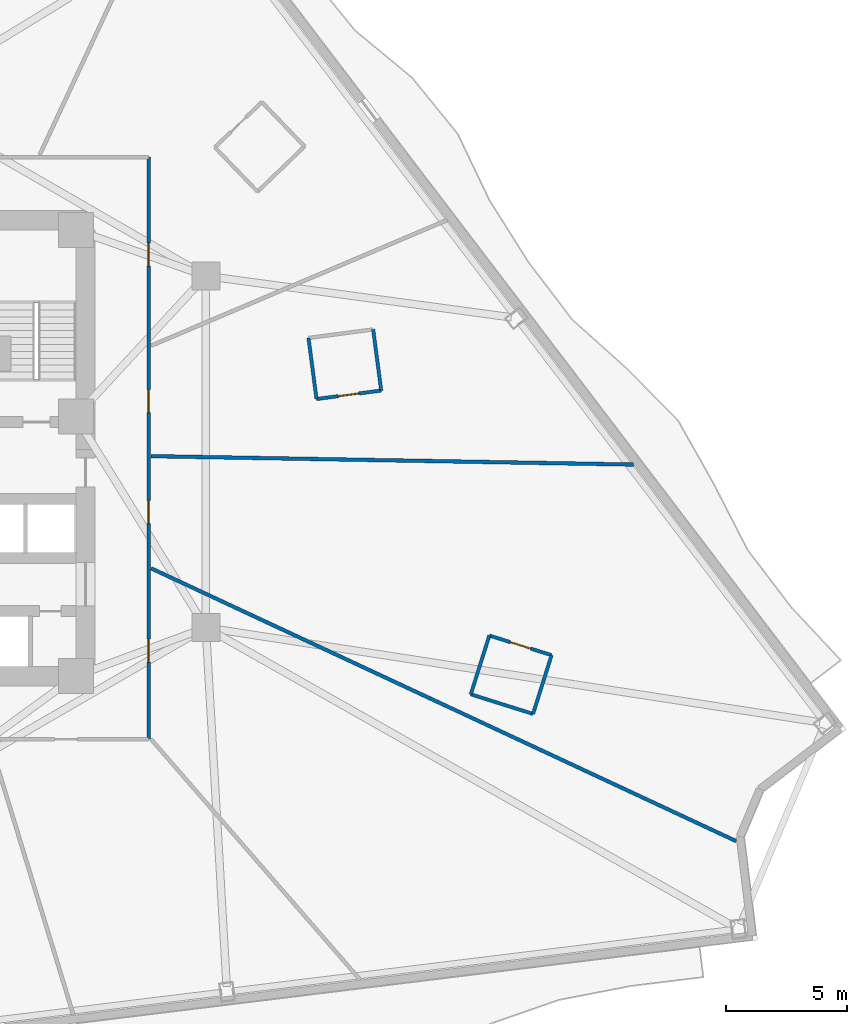
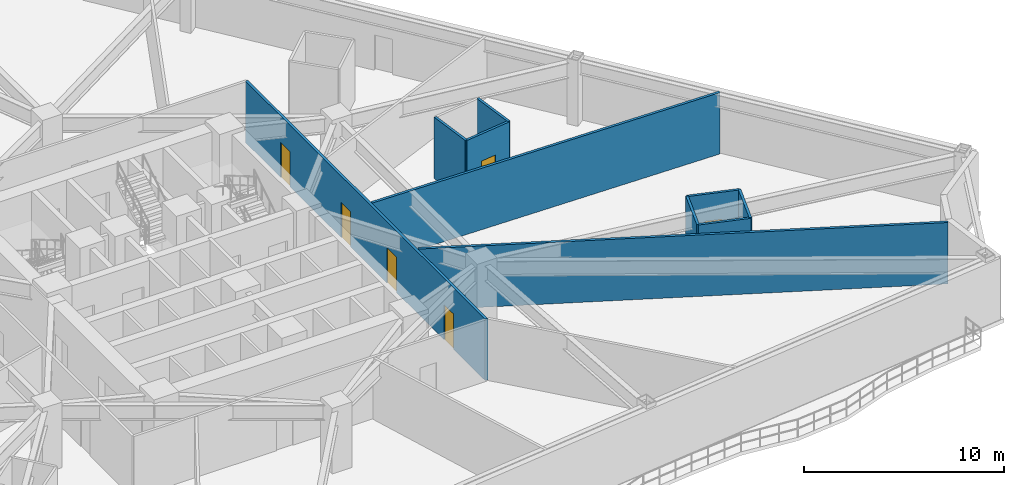
# One storey, part 5 of 13: 10 walls, 6 doors, 6 openings.
"""IFC4 building model written with IfcOpenShell, lengths in metres."""

from ifc_helpers import new_model, si_unit, direction, frame, frame_2d, origin, place, context, subcontext, project, spatial, rectangle, extrude, material, layer, layer_set, type_object, element, fill, save


model = new_model("IFC4")

# Units and contexts
model_context = context("Model", 3, precision=1e-05, world=origin(), true_north=direction((0.0, 1.0)))
body_context = subcontext(model_context, "Body", "Model", "MODEL_VIEW")
ifc_project = project(units=[si_unit("LENGTHUNIT", "METRE"), si_unit("AREAUNIT", "SQUARE_METRE"), si_unit("VOLUMEUNIT", "CUBIC_METRE"), si_unit("PLANEANGLEUNIT", "RADIAN"), si_unit("MASSUNIT", "GRAM", prefix="KILO")], contexts=[model_context])

# Site, building, storey
site_placement = place(None, origin())
site = spatial("IfcSite", under=ifc_project, at=site_placement, CompositionType="ELEMENT")
building_placement = place(site_placement, origin())
building = spatial("IfcBuilding", under=site, at=building_placement, Name="Apsidion Concourse Tower", CompositionType="ELEMENT")
storey_placement = place(building_placement, frame((0.0, 0.0, 67.0)))
storey = spatial("IfcBuildingStorey", under=building, at=storey_placement, Name="L14", CompositionType="ELEMENT", Elevation=67.0)

# Walls
ifc_material_1 = material(Name="Gypsum plasterboard partition")
ifc_layer_1 = layer(ifc_material_1, 0.139892578125)
ifc_layer_set_1 = layer_set([ifc_layer_1], Name="Gypsum plasterboard partition")
wall_type_1 = type_object("IfcWallType", Name="WL-INT-PAR-140", PredefinedType="PARTITIONING", material=ifc_layer_set_1)
wall_1_placement = place(storey_placement, frame((23.487548828125, -10.0, 0.0), z_axis=(0.0, 0.0, 1.0), x_axis=(0.953721106849, -0.300692617719, 0.0)))
element("IfcWall", 1, at=wall_1_placement, inside=storey, type_object=wall_type_1, Name="L14 Interior Partition WL-L14-POD-ENS04-S1", PredefinedType="PARTITIONING", context=body_context, shape_type="SweptSolid", body=[
    extrude(rectangle(XDim=2.68994140625, YDim=0.139892578125, at=frame_2d((1.344970703125, 0.0))), origin(), (0.0, 0.0, 1.0), 3.75),
])
wall_2_placement = place(storey_placement, frame((26.052978515625, -10.808837890625, 0.0), z_axis=(0.0, 0.0, 1.0), x_axis=(0.300731161572, 0.953708953748, 0.0)))
element("IfcWall", 2, at=wall_2_placement, inside=storey, type_object=wall_type_1, Name="L14 Interior Partition WL-L14-POD-ENS04-S2", PredefinedType="PARTITIONING", context=body_context, shape_type="SweptSolid", body=[
    extrude(rectangle(XDim=2.540283203125, YDim=0.139892578125, at=frame_2d((1.27001953125, 0.0))), origin(), (0.0, 0.0, 1.0), 3.75),
])

# Wall, opening, door
wall_3_placement = place(storey_placement, frame((26.81689453125, -8.38623046875, 0.0), z_axis=(0.0, 0.0, 1.0), x_axis=(-0.953721106849, 0.300692617719, 0.0)))
wall_3 = element("IfcWall", 3, at=wall_3_placement, inside=storey, type_object=wall_type_1, Name="L14 Interior Partition WL-L14-POD-ENS04-S3", PredefinedType="PARTITIONING", context=body_context, shape_type="SweptSolid", body=[
    extrude(rectangle(XDim=2.68994140625, YDim=0.139892578125, at=frame_2d((1.344970703125, 0.0))), origin(), (0.0, 0.0, 1.0), 3.75),
])
opening_1_placement = place(wall_3_placement, frame((0.905029296875, 0.0, 0.0)))
opening_1 = element("IfcOpeningElement", 4, at=opening_1_placement, cuts=wall_3, Name="Opening D-03L", PredefinedType="OPENING", context=body_context, shape_type="SweptSolid", body=[
    extrude(rectangle(XDim=0.8798828125, YDim=2.10009765625, at=frame_2d((0.43994140625, 1.050048828125))), frame((0.0, 0.080078125, 0.0), z_axis=(0.0, -1.0, 0.0), x_axis=(1.0, 0.0, 0.0)), (0.0, 0.0, 1.0), 0.159912109375),
])
ifc_material_2 = material(Name="Anodised aluminium EN AW-6063 T6", Category="aluminium")
door_type_1 = type_object("IfcDoorType", Name="DR-INT-D03L", OperationType="SINGLE_SWING_LEFT", PredefinedType="DOOR", material=ifc_material_2)
door_1_placement = place(opening_1_placement, origin())
door_1 = element("IfcDoor", 5, at=door_1_placement, inside=storey, type_object=door_type_1, Name="L14 Guest En-Suite Bathroom Door ENS04", OperationType="SINGLE_SWING_LEFT", OverallHeight=2.10009765625, OverallWidth=0.8798828125, PredefinedType="DOOR", context=body_context, shape_type="SweptSolid", body=[
    extrude(rectangle(XDim=0.8798828125, YDim=2.10009765625, at=frame_2d((0.43994140625, 1.050048828125))), frame((0.0, 0.02490234375, 0.0), z_axis=(0.0, -1.0, 0.0), x_axis=(1.0, 0.0, 0.0)), (0.0, 0.0, 1.0), 0.050048828125),
])
fill(opening_1, door_1)

# Wall
wall_4_placement = place(storey_placement, frame((24.25146484375, -7.577392578125, 0.0), z_axis=(0.0, 0.0, 1.0), x_axis=(-0.300731161572, -0.953708953748, 0.0)))
element("IfcWall", 6, at=wall_4_placement, inside=storey, type_object=wall_type_1, Name="L14 Interior Partition WL-L14-POD-ENS04-S4", PredefinedType="PARTITIONING", context=body_context, shape_type="SweptSolid", body=[
    extrude(rectangle(XDim=2.540283203125, YDim=0.139892578125, at=frame_2d((1.27001953125, 0.0))), origin(), (0.0, 0.0, 1.0), 3.75),
])

# Wall, opening, door
wall_5_placement = place(storey_placement, frame((17.125244140625, 2.17529296875, 0.0), z_axis=(0.0, 0.0, 1.0), x_axis=(0.991446880033, 0.130510858064, 0.0)))
wall_5 = element("IfcWall", 7, at=wall_5_placement, inside=storey, type_object=wall_type_1, Name="L14 Interior Partition WL-L14-POD-ENS05-S1", PredefinedType="PARTITIONING", context=body_context, shape_type="SweptSolid", body=[
    extrude(rectangle(XDim=2.68994140625, YDim=0.139892578125, at=frame_2d((1.344970703125, 0.0))), origin(), (0.0, 0.0, 1.0), 3.75),
])
opening_2_placement = place(wall_5_placement, frame((0.905029296875, 0.0, 0.0)))
opening_2 = element("IfcOpeningElement", 8, at=opening_2_placement, cuts=wall_5, Name="Opening D-03R", PredefinedType="OPENING", context=body_context, shape_type="SweptSolid", body=[
    extrude(rectangle(XDim=0.8798828125, YDim=2.10009765625, at=frame_2d((0.43994140625, 1.050048828125))), frame((0.0, 0.080078125, 0.0), z_axis=(0.0, -1.0, 0.0), x_axis=(1.0, 0.0, 0.0)), (0.0, 0.0, 1.0), 0.159912109375),
])
door_type_2 = type_object("IfcDoorType", Name="DR-INT-D03R", OperationType="SINGLE_SWING_RIGHT", PredefinedType="DOOR", material=ifc_material_2)
door_2_placement = place(opening_2_placement, origin())
door_2 = element("IfcDoor", 9, at=door_2_placement, inside=storey, type_object=door_type_2, Name="L14 Guest En-Suite Bathroom Door ENS05", OperationType="SINGLE_SWING_RIGHT", OverallHeight=2.10009765625, OverallWidth=0.8798828125, PredefinedType="DOOR", context=body_context, shape_type="SweptSolid", body=[
    extrude(rectangle(XDim=0.8798828125, YDim=2.10009765625, at=frame_2d((0.43994140625, 1.050048828125))), frame((0.0, 0.02490234375, 0.0), z_axis=(0.0, -1.0, 0.0), x_axis=(1.0, 0.0, 0.0)), (0.0, 0.0, 1.0), 0.050048828125),
])
fill(opening_2, door_2)

# Walls
for number, where, z_axis, x_axis, name in (
    (10, (19.792236328125, 2.5263671875, 0.0), (0.0, 0.0, 1.0), (-0.130526616185, 0.991444805558, 0.0), "L14 Interior Partition WL-L14-POD-ENS05-S2"),
    (11, (16.793701171875, 4.693603515625, 0.0), (0.0, 0.0, 1.0), (0.130526616185, -0.991444805558, 0.0), "L14 Interior Partition WL-L14-POD-ENS05-S4"),
):
    element("IfcWall", number, at=place(storey_placement, frame(where, z_axis=z_axis, x_axis=x_axis)), inside=storey, type_object=wall_type_1, Name=name, PredefinedType="PARTITIONING", context=body_context, shape_type="SweptSolid", body=[
        extrude(rectangle(XDim=2.5400390625, YDim=0.139892578125, at=frame_2d((1.27001953125, 0.0))), origin(), (0.0, 0.0, 1.0), 3.75),
    ])

# Wall, openings, doors
ifc_layer_2 = layer(ifc_material_1, 0.14990234375)
ifc_layer_set_2 = layer_set([ifc_layer_2], Name="Gypsum plasterboard partition")
wall_type_2 = type_object("IfcWallType", Name="WL-INT-PAR-150", PredefinedType="PARTITIONING", material=ifc_layer_set_2)
wall_6_placement = place(storey_placement, frame((10.199951171875, 12.14990234375, 0.0), z_axis=(0.0, 0.0, 1.0), x_axis=(0.0, -1.0, 0.0)))
wall_6 = element("IfcWall", 12, at=wall_6_placement, inside=storey, type_object=wall_type_2, Name="L14 Interior Partition WL-L14-CORR-02", PredefinedType="PARTITIONING", context=body_context, shape_type="SweptSolid", body=[
    extrude(rectangle(XDim=24.0, YDim=0.14990234375, at=frame_2d((12.0, 0.0))), origin(), (0.0, 0.0, 1.0), 3.75),
])
opening_3_placement = place(wall_6_placement, frame((19.87451171875, 0.0, 0.0)))
opening_3 = element("IfcOpeningElement", 13, at=opening_3_placement, cuts=wall_6, Name="Opening D-01R", PredefinedType="OPENING", context=body_context, shape_type="SweptSolid", body=[
    extrude(rectangle(XDim=0.949951171875, YDim=2.14990234375, at=frame_2d((0.47509765625, 1.074951171875))), frame((0.0, 0.0849609375, 0.0), z_axis=(0.0, -1.0, 0.0), x_axis=(1.0, 0.0, 0.0)), (0.0, 0.0, 1.0), 0.169921875),
])
opening_4_placement = place(wall_6_placement, frame((14.16259765625, 0.0, 0.0)))
opening_4 = element("IfcOpeningElement", 14, at=opening_4_placement, cuts=wall_6, Name="Opening D-01L", PredefinedType="OPENING", context=body_context, shape_type="SweptSolid", body=[
    extrude(rectangle(XDim=0.949951171875, YDim=2.14990234375, at=frame_2d((0.47509765625, 1.074951171875))), frame((0.0, 0.0849609375, 0.0), z_axis=(0.0, -1.0, 0.0), x_axis=(1.0, 0.0, 0.0)), (0.0, 0.0, 1.0), 0.169921875),
])
opening_5_placement = place(wall_6_placement, frame((9.58349609375, 0.0, 0.0)))
opening_5 = element("IfcOpeningElement", 15, at=opening_5_placement, cuts=wall_6, Name="Opening D-01R", PredefinedType="OPENING", context=body_context, shape_type="SweptSolid", body=[
    extrude(rectangle(XDim=0.949951171875, YDim=2.14990234375, at=frame_2d((0.47509765625, 1.074951171875))), frame((0.0, 0.0849609375, 0.0), z_axis=(0.0, -1.0, 0.0), x_axis=(1.0, 0.0, 0.0)), (0.0, 0.0, 1.0), 0.169921875),
])
opening_6_placement = place(wall_6_placement, frame((3.54248046875, 0.0, 0.0)))
opening_6 = element("IfcOpeningElement", 16, at=opening_6_placement, cuts=wall_6, Name="Opening D-01L", PredefinedType="OPENING", context=body_context, shape_type="SweptSolid", body=[
    extrude(rectangle(XDim=0.949951171875, YDim=2.14990234375, at=frame_2d((0.47509765625, 1.074951171875))), frame((0.0, 0.0849609375, 0.0), z_axis=(0.0, -1.0, 0.0), x_axis=(1.0, 0.0, 0.0)), (0.0, 0.0, 1.0), 0.169921875),
])
ifc_material_3 = material(Name="Brushed stainless steel 316", Category="steel")
door_type_3 = type_object("IfcDoorType", Name="DR-INT-D01L", OperationType="SINGLE_SWING_LEFT", PredefinedType="DOOR", material=ifc_material_3)
door_3_placement = place(opening_4_placement, origin())
door_3 = element("IfcDoor", 17, at=door_3_placement, inside=storey, type_object=door_type_3, Name="L14 Corridor Entry Door 05", OperationType="SINGLE_SWING_LEFT", OverallHeight=2.14990234375, OverallWidth=0.949951171875, PredefinedType="DOOR", context=body_context, shape_type="SweptSolid", body=[
    extrude(rectangle(XDim=0.949951171875, YDim=2.14990234375, at=frame_2d((0.47509765625, 1.074951171875))), frame((0.0, 0.02490234375, 0.0), z_axis=(0.0, -1.0, 0.0), x_axis=(1.0, 0.0, 0.0)), (0.0, 0.0, 1.0), 0.050048828125),
])
fill(opening_4, door_3)
door_4_placement = place(opening_6_placement, origin())
door_4 = element("IfcDoor", 18, at=door_4_placement, inside=storey, type_object=door_type_3, Name="L14 Corridor Entry Door 07", OperationType="SINGLE_SWING_LEFT", OverallHeight=2.14990234375, OverallWidth=0.949951171875, PredefinedType="DOOR", context=body_context, shape_type="SweptSolid", body=[
    extrude(rectangle(XDim=0.949951171875, YDim=2.14990234375, at=frame_2d((0.47509765625, 1.074951171875))), frame((0.0, 0.02490234375, 0.0), z_axis=(0.0, -1.0, 0.0), x_axis=(1.0, 0.0, 0.0)), (0.0, 0.0, 1.0), 0.050048828125),
])
fill(opening_6, door_4)
door_type_4 = type_object("IfcDoorType", Name="DR-INT-D01R", OperationType="SINGLE_SWING_RIGHT", PredefinedType="DOOR", material=ifc_material_3)
door_5_placement = place(opening_3_placement, origin())
door_5 = element("IfcDoor", 19, at=door_5_placement, inside=storey, type_object=door_type_4, Name="L14 Corridor Entry Door 04", OperationType="SINGLE_SWING_RIGHT", OverallHeight=2.14990234375, OverallWidth=0.949951171875, PredefinedType="DOOR", context=body_context, shape_type="SweptSolid", body=[
    extrude(rectangle(XDim=0.949951171875, YDim=2.14990234375, at=frame_2d((0.47509765625, 1.074951171875))), frame((0.0, 0.02490234375, 0.0), z_axis=(0.0, -1.0, 0.0), x_axis=(1.0, 0.0, 0.0)), (0.0, 0.0, 1.0), 0.050048828125),
])
fill(opening_3, door_5)
door_6_placement = place(opening_5_placement, origin())
door_6 = element("IfcDoor", 20, at=door_6_placement, inside=storey, type_object=door_type_4, Name="L14 Corridor Entry Door 06", OperationType="SINGLE_SWING_RIGHT", OverallHeight=2.14990234375, OverallWidth=0.949951171875, PredefinedType="DOOR", context=body_context, shape_type="SweptSolid", body=[
    extrude(rectangle(XDim=0.949951171875, YDim=2.14990234375, at=frame_2d((0.47509765625, 1.074951171875))), frame((0.0, 0.02490234375, 0.0), z_axis=(0.0, -1.0, 0.0), x_axis=(1.0, 0.0, 0.0)), (0.0, 0.0, 1.0), 0.050048828125),
])
fill(opening_5, door_6)

# Walls
wall_7_placement = place(storey_placement, frame((10.304931640625, -4.805419921875, 0.0), z_axis=(0.0, 0.0, 1.0), x_axis=(0.906311005283, -0.42261136012, 0.0)))
element("IfcWall", 21, at=wall_7_placement, inside=storey, type_object=wall_type_2, Name="L14 Interior Partition WL-L14-RAD-09-1", PredefinedType="PARTITIONING", context=body_context, shape_type="SweptSolid", body=[
    extrude(rectangle(XDim=26.624755859375, YDim=0.14990234375, at=frame_2d((13.3125, 0.0))), origin(), (0.0, 0.0, 1.0), 3.75),
])
wall_8_placement = place(storey_placement, frame((10.304931640625, -0.179931640625, 0.0), z_axis=(0.0, 0.0, 1.0), x_axis=(0.99984764159, -0.017455474959, 0.0)))
element("IfcWall", 22, at=wall_8_placement, inside=storey, type_object=wall_type_2, Name="L14 Interior Partition WL-L14-RAD-10-1", PredefinedType="PARTITIONING", context=body_context, shape_type="SweptSolid", body=[
    extrude(rectangle(XDim=19.888671875, YDim=0.14990234375, at=frame_2d((9.9443359375, 0.0))), origin(), (0.0, 0.0, 1.0), 3.75),
])

save(model, "model.ifc")
